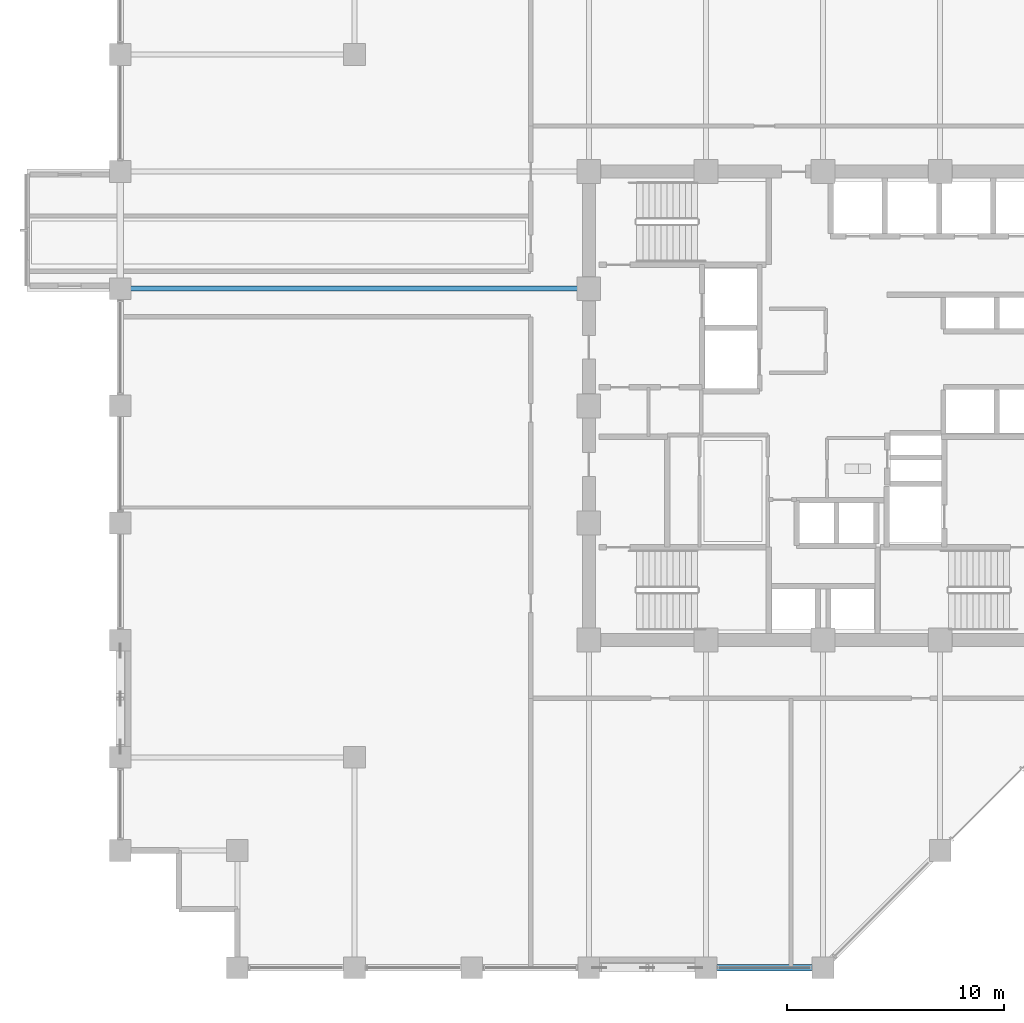
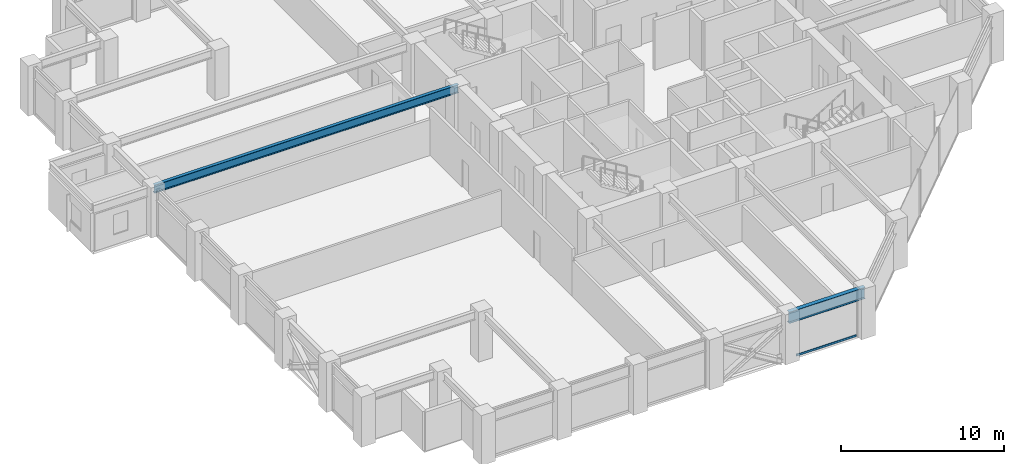
# One storey, part 6 of 29: 2 beams, 1 member, 1 element without a shape of its own.
"""IFC4 building model written with IfcOpenShell, lengths in metres."""

from ifc_helpers import new_model, si_unit, direction, frame, origin, origin_2d, place, context, subcontext, project, spatial, hollow_rectangle, i_section, extrude, material, layer, layer_set, material_profile, profile_set, type_object, element, aggregate, save


model = new_model("IFC4")

# Units and contexts
model_context = context("Model", 3, precision=1e-05, world=origin(), true_north=direction((0.0, 1.0)))
body_context = subcontext(model_context, "Body", "Model", "MODEL_VIEW")
ifc_project = project(units=[si_unit("LENGTHUNIT", "METRE"), si_unit("AREAUNIT", "SQUARE_METRE"), si_unit("VOLUMEUNIT", "CUBIC_METRE"), si_unit("PLANEANGLEUNIT", "RADIAN"), si_unit("MASSUNIT", "GRAM", prefix="KILO")], contexts=[model_context])

# Site, building, storey
site_placement = place(None, origin())
site = spatial("IfcSite", under=ifc_project, at=site_placement, CompositionType="ELEMENT")
building_placement = place(site_placement, origin())
building = spatial("IfcBuilding", under=site, at=building_placement, Name="Surkhivell Harbour Commons", CompositionType="ELEMENT")
storey_placement = place(building_placement, frame((0.0, 0.0, 154.5)))
storey = spatial("IfcBuildingStorey", under=building, at=storey_placement, Name="L40", CompositionType="ELEMENT", Elevation=154.5)

# Beams
ifc_material_1 = material(Name="Steel S355", Category="steel")
ifc_material_profile_1 = material_profile(ifc_material_1, i_section(OverallWidth=0.22998046875, OverallDepth=0.616943359375, WebThickness=0.01318359375, FlangeThickness=0.022216796875, at=origin_2d()), Name="UB610x229x140")
ifc_profile_set_1 = profile_set([ifc_material_profile_1], Name="Steel S355")
beam_type_1 = type_object("IfcBeamType", Name="BM-GRD-610B", PredefinedType="BEAM", material=ifc_profile_set_1)
beam_1_placement = place(storey_placement, frame((-32.39990234375, 5.39990234375, 3.261474609375), z_axis=(1.0, 0.0, 0.0), x_axis=(0.0, 1.0, 0.0)))
element("IfcBeam", 1, at=beam_1_placement, inside=storey, type_object=beam_type_1, Name="L40 Cantilever Back-Span Girder (-32.4,5.4)", PredefinedType="BEAM", context=body_context, shape_type="SweptSolid", body=[
    extrude(i_section(OverallWidth=0.22998046875, OverallDepth=0.616943359375, WebThickness=0.01318359375, FlangeThickness=0.022216796875, at=origin_2d()), origin(), (0.0, 0.0, 1.0), 21.599853515625),
])
ifc_material_2 = material(Name="Steel S460", Category="steel")
ifc_material_profile_2 = material_profile(ifc_material_2, i_section(OverallWidth=0.2939453125, OverallDepth=0.85107421875, WebThickness=0.01611328125, FlangeThickness=0.02685546875, at=origin_2d()), Name="UB838x292x226")
ifc_profile_set_2 = profile_set([ifc_material_profile_2], Name="Steel S460")
beam_type_2 = type_object("IfcBeamType", Name="BM-SPN-838", PredefinedType="SPANDREL", material=ifc_profile_set_2)
beam_2_placement = place(storey_placement, frame((-5.39990234375, -25.89990234375, 3.14453125), z_axis=(1.0, 0.0, 0.0), x_axis=(0.0, 1.0, 0.0)))
element("IfcBeam", 2, at=beam_2_placement, inside=storey, type_object=beam_type_2, Name="L40 Tube Spandrel (-5.4,-25.9)", PredefinedType="SPANDREL", context=body_context, shape_type="SweptSolid", body=[
    extrude(i_section(OverallWidth=0.2939453125, OverallDepth=0.85107421875, WebThickness=0.01611328125, FlangeThickness=0.02685546875, at=origin_2d()), origin(), (0.0, 0.0, 1.0), 5.39990234375),
])

# Curtain wall, member
ifc_material_3 = material(Name="Anodised pale-metal aluminium and insulated glazing", Category="aluminium")
ifc_layer = layer(ifc_material_3, 0.205078125)
ifc_layer_set = layer_set([ifc_layer], Name="Anodised pale-metal aluminium and insulated glazing")
curtain_wall_type = type_object("IfcCurtainWallType", Name="CW-SYS-Z2", PredefinedType="NOTDEFINED", material=ifc_layer_set)
curtain_wall_placement = place(storey_placement, origin())
curtain_wall = element("IfcCurtainWall", 3, at=curtain_wall_placement, inside=storey, type_object=curtain_wall_type, Name="L40 Curtain Wall CW-L40-E00S2", PredefinedType="NOTDEFINED")
ifc_material_4 = material(Name="Anodised pale-metal aluminium alloy 6063-T6", Category="aluminium")
ifc_material_profile_3 = material_profile(ifc_material_4, hollow_rectangle(XDim=0.074951171875, YDim=0.14990234375, WallThickness=0.00341796875, at=origin_2d()), Name="ALU-TRAN-75x150")
ifc_profile_set_3 = profile_set([ifc_material_profile_3], Name="Anodised pale-metal aluminium alloy 6063-T6")
member_type = type_object("IfcMemberType", Name="CWT-150", PredefinedType="USERDEFINED", material=ifc_profile_set_3)
member_placement = place(storey_placement, frame((-4.822998046875, -25.89990234375, 0.074951171875), z_axis=(1.0, 0.0, 0.0), x_axis=(0.0, 1.0, 0.0)))
member = element("IfcMember", 4, at=member_placement, type_object=member_type, Name="CW-Z2 transom 1.1", ObjectType="TRANSOM", PredefinedType="USERDEFINED", context=body_context, shape_type="SweptSolid", body=[
    extrude(hollow_rectangle(XDim=0.074951171875, YDim=0.14990234375, WallThickness=0.00341796875, at=origin_2d()), origin(), (0.0, 0.0, 1.0), 4.24609375),
])
aggregate(curtain_wall, [member])

save(model, "model.ifc")
